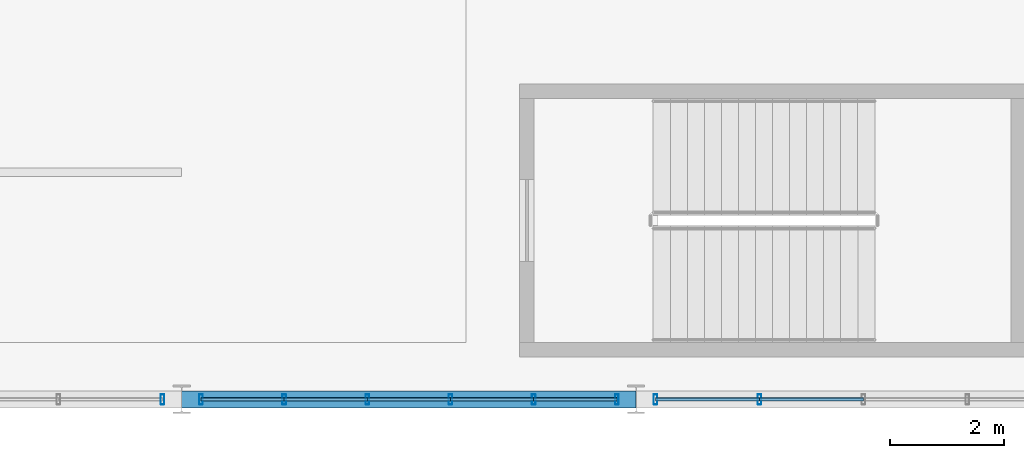
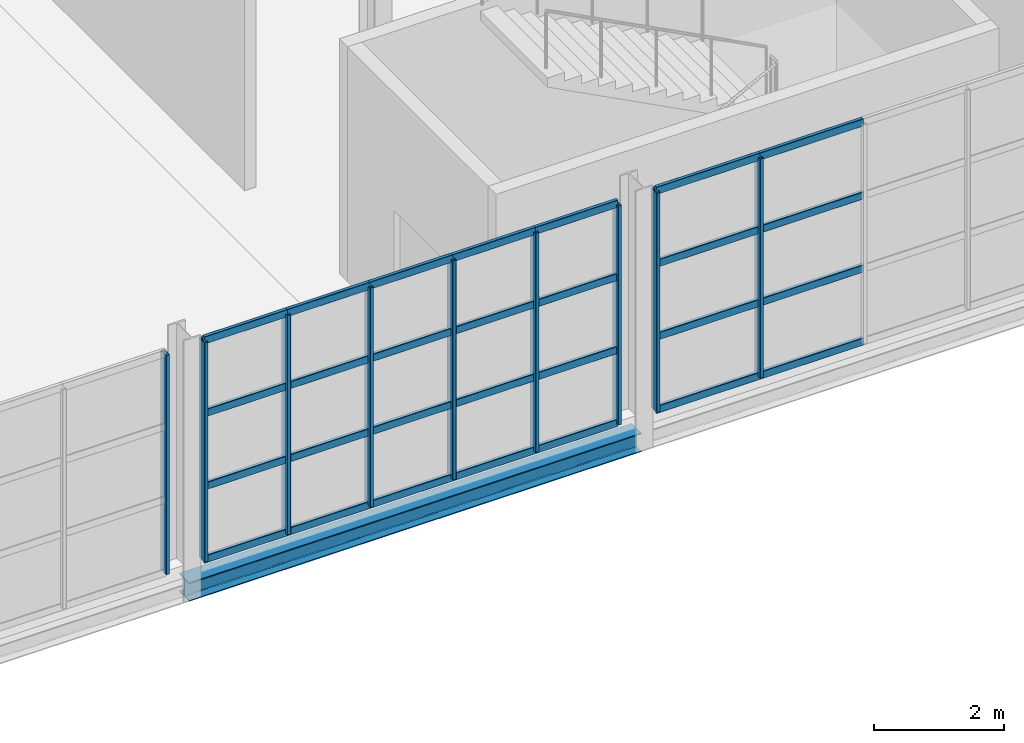
# One storey, part 106 of 153: 37 members, 1 beam, 3 elements without a shape of their own.
"""IFC4 building model written with IfcOpenShell, lengths in metres."""

from ifc_helpers import new_model, si_unit, derived_unit, direction, frame, origin, origin_2d, place, context, subcontext, project, spatial, hollow_rectangle, i_section, extrude, material, material_profile, profile_set, type_object, element, aggregate, save


model = new_model("IFC4")

# Units and contexts
model_context = context("Model", 3, precision=1e-05, world=origin(), true_north=direction((0.0, 1.0)))
body_context = subcontext(model_context, "Body", "Model", "MODEL_VIEW")
ifc_project = project(units=[si_unit("LENGTHUNIT", "METRE"), si_unit("AREAUNIT", "SQUARE_METRE"), si_unit("VOLUMEUNIT", "CUBIC_METRE"), si_unit("PLANEANGLEUNIT", "RADIAN"), si_unit("MASSUNIT", "GRAM", prefix="KILO"), derived_unit("THERMALTRANSMITTANCEUNIT", [(si_unit("POWERUNIT", "WATT"), 1), (si_unit("LENGTHUNIT", "METRE"), -2), (si_unit("THERMODYNAMICTEMPERATUREUNIT", "KELVIN"), -1)])], contexts=[model_context])

# Site, building, storey
site_placement = place(None, origin())
site = spatial("IfcSite", under=ifc_project, at=site_placement, CompositionType="ELEMENT")
building_placement = place(site_placement, origin())
building = spatial("IfcBuilding", under=site, at=building_placement, Name="Keldorne Ridge Multi-Sports Centre", CompositionType="ELEMENT")
storey_placement = place(building_placement, frame((0.0, 0.0, 9.60009765625)))
storey = spatial("IfcBuildingStorey", under=building, at=storey_placement, Name="L02", CompositionType="ELEMENT", Elevation=9.60009765625)

# Beam
ifc_material_1 = material(Name="Steel S355", Category="steel")
ifc_material_profile_1 = material_profile(ifc_material_1, i_section(OverallWidth=0.300048828125, OverallDepth=0.35009765625, WebThickness=0.010009765625, FlangeThickness=0.017578125, FilletRadius=0.027099609375, at=origin_2d()), Name="HEA 360")
ifc_profile_set_1 = profile_set([ifc_material_profile_1], Name="Steel S355")
beam_type = type_object("IfcBeamType", Name="BM-SP-03", PredefinedType="SPANDREL", material=ifc_profile_set_1)
beam_placement = place(storey_placement, frame((152.0, 6.0, -0.4150390625), z_axis=(1.0, 0.0, 0.0), x_axis=(0.0, 1.0, 0.0)))
element("IfcBeam", 1, at=beam_placement, inside=storey, type_object=beam_type, Name="L02 Stacked Courts beam 7.1", PredefinedType="SPANDREL", context=body_context, shape_type="SweptSolid", body=[
    extrude(i_section(OverallWidth=0.300048828125, OverallDepth=0.35009765625, WebThickness=0.010009765625, FlangeThickness=0.017578125, FilletRadius=0.027099609375, at=origin_2d()), origin(), (0.0, 0.0, 1.0), 8.0),
])

# Curtain wall, member
ifc_material_2 = material(Name="Anodized aluminium", Category="aluminium")
curtain_wall_type_1 = type_object("IfcCurtainWallType", Name="CW-CW-08", PredefinedType="NOTDEFINED", material=ifc_material_2)
curtain_wall_1_placement = place(storey_placement, origin())
curtain_wall_1 = element("IfcCurtainWall", 2, at=curtain_wall_1_placement, inside=storey, type_object=curtain_wall_type_1, Name="Upper Courts south curtain wall 120", PredefinedType="NOTDEFINED")
ifc_material_profile_2 = material_profile(ifc_material_2, hollow_rectangle(XDim=0.06494140625, YDim=0.179931640625, WallThickness=0.00439453125, InnerFilletRadius=0.00439453125, OuterFilletRadius=0.009033203125, at=origin_2d()), Name="ALU MULLION 180x65x4.5")
ifc_profile_set_2 = profile_set([ifc_material_profile_2], Name="Anodized aluminium")
member_type_1 = type_object("IfcMemberType", Name="MEM-ML-01", PredefinedType="MULLION", material=ifc_profile_set_2)
member_1_placement = place(storey_placement, frame((151.659912109375, 6.0, 0.0), z_axis=(0.0, 0.0, 1.0), x_axis=(1.0, 0.0, 0.0)))
member_1 = element("IfcMember", 3, at=member_1_placement, type_object=member_type_1, Name="CW-120 vertical mullion 5", PredefinedType="MULLION", context=body_context, shape_type="SweptSolid", body=[
    extrude(hollow_rectangle(XDim=0.06494140625, YDim=0.179931640625, WallThickness=0.00439453125, InnerFilletRadius=0.00439453125, OuterFilletRadius=0.009033203125, at=origin_2d()), origin(), (0.0, 0.0, 1.0), 4.099853515625),
])
aggregate(curtain_wall_1, [member_1])

# Curtain wall, members
curtain_wall_type_2 = type_object("IfcCurtainWallType", Name="CW-CW-06", PredefinedType="NOTDEFINED", material=ifc_material_2)
curtain_wall_2_placement = place(storey_placement, origin())
curtain_wall_2 = element("IfcCurtainWall", 4, at=curtain_wall_2_placement, inside=storey, type_object=curtain_wall_type_2, Name="Upper Courts south curtain wall 126", PredefinedType="NOTDEFINED")
member_2_placement = place(storey_placement, frame((152.340087890625, 6.0, 0.0), z_axis=(0.0, 0.0, 1.0), x_axis=(1.0, 0.0, 0.0)))
member_2 = element("IfcMember", 5, at=member_2_placement, type_object=member_type_1, Name="CW-126 vertical mullion 1", PredefinedType="MULLION", context=body_context, shape_type="SweptSolid", body=[
    extrude(hollow_rectangle(XDim=0.06494140625, YDim=0.179931640625, WallThickness=0.00439453125, InnerFilletRadius=0.00439453125, OuterFilletRadius=0.009033203125, at=origin_2d()), origin(), (0.0, 0.0, 1.0), 4.099853515625),
])
member_3_placement = place(storey_placement, frame((153.803955078125, 6.0, 0.0), z_axis=(0.0, 0.0, 1.0), x_axis=(1.0, 0.0, 0.0)))
member_3 = element("IfcMember", 6, at=member_3_placement, type_object=member_type_1, Name="CW-126 vertical mullion 2", PredefinedType="MULLION", context=body_context, shape_type="SweptSolid", body=[
    extrude(hollow_rectangle(XDim=0.06494140625, YDim=0.179931640625, WallThickness=0.00439453125, InnerFilletRadius=0.00439453125, OuterFilletRadius=0.009033203125, at=origin_2d()), origin(), (0.0, 0.0, 1.0), 4.099853515625),
])
member_4_placement = place(storey_placement, frame((155.26806640625, 6.0, 0.0), z_axis=(0.0, 0.0, 1.0), x_axis=(1.0, 0.0, 0.0)))
member_4 = element("IfcMember", 7, at=member_4_placement, type_object=member_type_1, Name="CW-126 vertical mullion 3", PredefinedType="MULLION", context=body_context, shape_type="SweptSolid", body=[
    extrude(hollow_rectangle(XDim=0.06494140625, YDim=0.179931640625, WallThickness=0.00439453125, InnerFilletRadius=0.00439453125, OuterFilletRadius=0.009033203125, at=origin_2d()), origin(), (0.0, 0.0, 1.0), 4.099853515625),
])
member_5_placement = place(storey_placement, frame((156.73193359375, 6.0, 0.0), z_axis=(0.0, 0.0, 1.0), x_axis=(1.0, 0.0, 0.0)))
member_5 = element("IfcMember", 8, at=member_5_placement, type_object=member_type_1, Name="CW-126 vertical mullion 4", PredefinedType="MULLION", context=body_context, shape_type="SweptSolid", body=[
    extrude(hollow_rectangle(XDim=0.06494140625, YDim=0.179931640625, WallThickness=0.00439453125, InnerFilletRadius=0.00439453125, OuterFilletRadius=0.009033203125, at=origin_2d()), origin(), (0.0, 0.0, 1.0), 4.099853515625),
])
member_6_placement = place(storey_placement, frame((158.196044921875, 6.0, 0.0), z_axis=(0.0, 0.0, 1.0), x_axis=(1.0, 0.0, 0.0)))
member_6 = element("IfcMember", 9, at=member_6_placement, type_object=member_type_1, Name="CW-126 vertical mullion 5", PredefinedType="MULLION", context=body_context, shape_type="SweptSolid", body=[
    extrude(hollow_rectangle(XDim=0.06494140625, YDim=0.179931640625, WallThickness=0.00439453125, InnerFilletRadius=0.00439453125, OuterFilletRadius=0.009033203125, at=origin_2d()), origin(), (0.0, 0.0, 1.0), 4.099853515625),
])
member_7_placement = place(storey_placement, frame((159.659912109375, 6.0, 0.0), z_axis=(0.0, 0.0, 1.0), x_axis=(1.0, 0.0, 0.0)))
member_7 = element("IfcMember", 10, at=member_7_placement, type_object=member_type_1, Name="CW-126 vertical mullion 6", PredefinedType="MULLION", context=body_context, shape_type="SweptSolid", body=[
    extrude(hollow_rectangle(XDim=0.06494140625, YDim=0.179931640625, WallThickness=0.00439453125, InnerFilletRadius=0.00439453125, OuterFilletRadius=0.009033203125, at=origin_2d()), origin(), (0.0, 0.0, 1.0), 4.099853515625),
])

curtain_wall_type_3 = type_object("IfcCurtainWallType", Name="CW-CW-05", PredefinedType="NOTDEFINED", material=ifc_material_2)
curtain_wall_3_placement = place(storey_placement, origin())
curtain_wall_3 = element("IfcCurtainWall", 11, at=curtain_wall_3_placement, inside=storey, type_object=curtain_wall_type_3, Name="Upper Courts south curtain wall 133", PredefinedType="NOTDEFINED")
member_8_placement = place(storey_placement, frame((160.340087890625, 6.0, 0.0), z_axis=(0.0, 0.0, 1.0), x_axis=(1.0, 0.0, 0.0)))
member_8 = element("IfcMember", 12, at=member_8_placement, type_object=member_type_1, Name="CW-133 vertical mullion 1", PredefinedType="MULLION", context=body_context, shape_type="SweptSolid", body=[
    extrude(hollow_rectangle(XDim=0.06494140625, YDim=0.179931640625, WallThickness=0.00439453125, InnerFilletRadius=0.00439453125, OuterFilletRadius=0.009033203125, at=origin_2d()), origin(), (0.0, 0.0, 1.0), 4.099853515625),
])
member_9_placement = place(storey_placement, frame((162.169921875, 6.0, 0.0), z_axis=(0.0, 0.0, 1.0), x_axis=(1.0, 0.0, 0.0)))
member_9 = element("IfcMember", 13, at=member_9_placement, type_object=member_type_1, Name="CW-133 vertical mullion 2", PredefinedType="MULLION", context=body_context, shape_type="SweptSolid", body=[
    extrude(hollow_rectangle(XDim=0.06494140625, YDim=0.179931640625, WallThickness=0.00439453125, InnerFilletRadius=0.00439453125, OuterFilletRadius=0.009033203125, at=origin_2d()), origin(), (0.0, 0.0, 1.0), 4.099853515625),
])

# Member
ifc_material_profile_3 = material_profile(ifc_material_2, hollow_rectangle(XDim=0.06494140625, YDim=0.139892578125, WallThickness=0.00439453125, InnerFilletRadius=0.00439453125, OuterFilletRadius=0.009033203125, at=origin_2d()), Name="ALU TRANSOM 140x65x4.5")
ifc_profile_set_3 = profile_set([ifc_material_profile_3], Name="Anodized aluminium")
member_type_2 = type_object("IfcMemberType", Name="MEM-TR-01", PredefinedType="USERDEFINED", material=ifc_profile_set_3)
member_10_placement = place(storey_placement, frame((152.340087890625, 6.0, 0.0), z_axis=(1.0, 0.0, 0.0), x_axis=(0.0, 1.0, 0.0)))
member_10 = element("IfcMember", 14, at=member_10_placement, type_object=member_type_2, Name="CW-126 transom 1.1", ObjectType="TRANSOM", PredefinedType="USERDEFINED", context=body_context, shape_type="SweptSolid", body=[
    extrude(hollow_rectangle(XDim=0.06494140625, YDim=0.139892578125, WallThickness=0.00439453125, InnerFilletRadius=0.00439453125, OuterFilletRadius=0.009033203125, at=origin_2d()), origin(), (0.0, 0.0, 1.0), 1.4638671875),
])

member_11_placement = place(storey_placement, frame((152.340087890625, 6.0, 1.36669921875), z_axis=(1.0, 0.0, 0.0), x_axis=(0.0, 1.0, 0.0)))
member_11 = element("IfcMember", 15, at=member_11_placement, type_object=member_type_2, Name="CW-126 transom 1.2", ObjectType="TRANSOM", PredefinedType="USERDEFINED", context=body_context, shape_type="SweptSolid", body=[
    extrude(hollow_rectangle(XDim=0.06494140625, YDim=0.139892578125, WallThickness=0.00439453125, InnerFilletRadius=0.00439453125, OuterFilletRadius=0.009033203125, at=origin_2d()), origin(), (0.0, 0.0, 1.0), 1.4638671875),
])

member_12_placement = place(storey_placement, frame((152.340087890625, 6.0, 2.733154296875), z_axis=(1.0, 0.0, 0.0), x_axis=(0.0, 1.0, 0.0)))
member_12 = element("IfcMember", 16, at=member_12_placement, type_object=member_type_2, Name="CW-126 transom 1.3", ObjectType="TRANSOM", PredefinedType="USERDEFINED", context=body_context, shape_type="SweptSolid", body=[
    extrude(hollow_rectangle(XDim=0.06494140625, YDim=0.139892578125, WallThickness=0.00439453125, InnerFilletRadius=0.00439453125, OuterFilletRadius=0.009033203125, at=origin_2d()), origin(), (0.0, 0.0, 1.0), 1.4638671875),
])

member_13_placement = place(storey_placement, frame((152.340087890625, 6.0, 4.099853515625), z_axis=(1.0, 0.0, 0.0), x_axis=(0.0, 1.0, 0.0)))
member_13 = element("IfcMember", 17, at=member_13_placement, type_object=member_type_2, Name="CW-126 transom 1.4", ObjectType="TRANSOM", PredefinedType="USERDEFINED", context=body_context, shape_type="SweptSolid", body=[
    extrude(hollow_rectangle(XDim=0.06494140625, YDim=0.139892578125, WallThickness=0.00439453125, InnerFilletRadius=0.00439453125, OuterFilletRadius=0.009033203125, at=origin_2d()), origin(), (0.0, 0.0, 1.0), 1.4638671875),
])

member_14_placement = place(storey_placement, frame((153.803955078125, 6.0, 0.0), z_axis=(1.0, 0.0, 0.0), x_axis=(0.0, 1.0, 0.0)))
member_14 = element("IfcMember", 18, at=member_14_placement, type_object=member_type_2, Name="CW-126 transom 2.1", ObjectType="TRANSOM", PredefinedType="USERDEFINED", context=body_context, shape_type="SweptSolid", body=[
    extrude(hollow_rectangle(XDim=0.06494140625, YDim=0.139892578125, WallThickness=0.00439453125, InnerFilletRadius=0.00439453125, OuterFilletRadius=0.009033203125, at=origin_2d()), origin(), (0.0, 0.0, 1.0), 1.464111328125),
])

member_15_placement = place(storey_placement, frame((153.803955078125, 6.0, 1.36669921875), z_axis=(1.0, 0.0, 0.0), x_axis=(0.0, 1.0, 0.0)))
member_15 = element("IfcMember", 19, at=member_15_placement, type_object=member_type_2, Name="CW-126 transom 2.2", ObjectType="TRANSOM", PredefinedType="USERDEFINED", context=body_context, shape_type="SweptSolid", body=[
    extrude(hollow_rectangle(XDim=0.06494140625, YDim=0.139892578125, WallThickness=0.00439453125, InnerFilletRadius=0.00439453125, OuterFilletRadius=0.009033203125, at=origin_2d()), origin(), (0.0, 0.0, 1.0), 1.464111328125),
])

member_16_placement = place(storey_placement, frame((153.803955078125, 6.0, 2.733154296875), z_axis=(1.0, 0.0, 0.0), x_axis=(0.0, 1.0, 0.0)))
member_16 = element("IfcMember", 20, at=member_16_placement, type_object=member_type_2, Name="CW-126 transom 2.3", ObjectType="TRANSOM", PredefinedType="USERDEFINED", context=body_context, shape_type="SweptSolid", body=[
    extrude(hollow_rectangle(XDim=0.06494140625, YDim=0.139892578125, WallThickness=0.00439453125, InnerFilletRadius=0.00439453125, OuterFilletRadius=0.009033203125, at=origin_2d()), origin(), (0.0, 0.0, 1.0), 1.464111328125),
])

member_17_placement = place(storey_placement, frame((153.803955078125, 6.0, 4.099853515625), z_axis=(1.0, 0.0, 0.0), x_axis=(0.0, 1.0, 0.0)))
member_17 = element("IfcMember", 21, at=member_17_placement, type_object=member_type_2, Name="CW-126 transom 2.4", ObjectType="TRANSOM", PredefinedType="USERDEFINED", context=body_context, shape_type="SweptSolid", body=[
    extrude(hollow_rectangle(XDim=0.06494140625, YDim=0.139892578125, WallThickness=0.00439453125, InnerFilletRadius=0.00439453125, OuterFilletRadius=0.009033203125, at=origin_2d()), origin(), (0.0, 0.0, 1.0), 1.464111328125),
])

member_18_placement = place(storey_placement, frame((155.26806640625, 6.0, 0.0), z_axis=(1.0, 0.0, 0.0), x_axis=(0.0, 1.0, 0.0)))
member_18 = element("IfcMember", 22, at=member_18_placement, type_object=member_type_2, Name="CW-126 transom 3.1", ObjectType="TRANSOM", PredefinedType="USERDEFINED", context=body_context, shape_type="SweptSolid", body=[
    extrude(hollow_rectangle(XDim=0.06494140625, YDim=0.139892578125, WallThickness=0.00439453125, InnerFilletRadius=0.00439453125, OuterFilletRadius=0.009033203125, at=origin_2d()), origin(), (0.0, 0.0, 1.0), 1.4638671875),
])

member_19_placement = place(storey_placement, frame((155.26806640625, 6.0, 1.36669921875), z_axis=(1.0, 0.0, 0.0), x_axis=(0.0, 1.0, 0.0)))
member_19 = element("IfcMember", 23, at=member_19_placement, type_object=member_type_2, Name="CW-126 transom 3.2", ObjectType="TRANSOM", PredefinedType="USERDEFINED", context=body_context, shape_type="SweptSolid", body=[
    extrude(hollow_rectangle(XDim=0.06494140625, YDim=0.139892578125, WallThickness=0.00439453125, InnerFilletRadius=0.00439453125, OuterFilletRadius=0.009033203125, at=origin_2d()), origin(), (0.0, 0.0, 1.0), 1.4638671875),
])

member_20_placement = place(storey_placement, frame((155.26806640625, 6.0, 2.733154296875), z_axis=(1.0, 0.0, 0.0), x_axis=(0.0, 1.0, 0.0)))
member_20 = element("IfcMember", 24, at=member_20_placement, type_object=member_type_2, Name="CW-126 transom 3.3", ObjectType="TRANSOM", PredefinedType="USERDEFINED", context=body_context, shape_type="SweptSolid", body=[
    extrude(hollow_rectangle(XDim=0.06494140625, YDim=0.139892578125, WallThickness=0.00439453125, InnerFilletRadius=0.00439453125, OuterFilletRadius=0.009033203125, at=origin_2d()), origin(), (0.0, 0.0, 1.0), 1.4638671875),
])

member_21_placement = place(storey_placement, frame((155.26806640625, 6.0, 4.099853515625), z_axis=(1.0, 0.0, 0.0), x_axis=(0.0, 1.0, 0.0)))
member_21 = element("IfcMember", 25, at=member_21_placement, type_object=member_type_2, Name="CW-126 transom 3.4", ObjectType="TRANSOM", PredefinedType="USERDEFINED", context=body_context, shape_type="SweptSolid", body=[
    extrude(hollow_rectangle(XDim=0.06494140625, YDim=0.139892578125, WallThickness=0.00439453125, InnerFilletRadius=0.00439453125, OuterFilletRadius=0.009033203125, at=origin_2d()), origin(), (0.0, 0.0, 1.0), 1.4638671875),
])

member_22_placement = place(storey_placement, frame((156.73193359375, 6.0, 0.0), z_axis=(1.0, 0.0, 0.0), x_axis=(0.0, 1.0, 0.0)))
member_22 = element("IfcMember", 26, at=member_22_placement, type_object=member_type_2, Name="CW-126 transom 4.1", ObjectType="TRANSOM", PredefinedType="USERDEFINED", context=body_context, shape_type="SweptSolid", body=[
    extrude(hollow_rectangle(XDim=0.06494140625, YDim=0.139892578125, WallThickness=0.00439453125, InnerFilletRadius=0.00439453125, OuterFilletRadius=0.009033203125, at=origin_2d()), origin(), (0.0, 0.0, 1.0), 1.464111328125),
])

member_23_placement = place(storey_placement, frame((156.73193359375, 6.0, 1.36669921875), z_axis=(1.0, 0.0, 0.0), x_axis=(0.0, 1.0, 0.0)))
member_23 = element("IfcMember", 27, at=member_23_placement, type_object=member_type_2, Name="CW-126 transom 4.2", ObjectType="TRANSOM", PredefinedType="USERDEFINED", context=body_context, shape_type="SweptSolid", body=[
    extrude(hollow_rectangle(XDim=0.06494140625, YDim=0.139892578125, WallThickness=0.00439453125, InnerFilletRadius=0.00439453125, OuterFilletRadius=0.009033203125, at=origin_2d()), origin(), (0.0, 0.0, 1.0), 1.464111328125),
])

member_24_placement = place(storey_placement, frame((156.73193359375, 6.0, 2.733154296875), z_axis=(1.0, 0.0, 0.0), x_axis=(0.0, 1.0, 0.0)))
member_24 = element("IfcMember", 28, at=member_24_placement, type_object=member_type_2, Name="CW-126 transom 4.3", ObjectType="TRANSOM", PredefinedType="USERDEFINED", context=body_context, shape_type="SweptSolid", body=[
    extrude(hollow_rectangle(XDim=0.06494140625, YDim=0.139892578125, WallThickness=0.00439453125, InnerFilletRadius=0.00439453125, OuterFilletRadius=0.009033203125, at=origin_2d()), origin(), (0.0, 0.0, 1.0), 1.464111328125),
])

member_25_placement = place(storey_placement, frame((156.73193359375, 6.0, 4.099853515625), z_axis=(1.0, 0.0, 0.0), x_axis=(0.0, 1.0, 0.0)))
member_25 = element("IfcMember", 29, at=member_25_placement, type_object=member_type_2, Name="CW-126 transom 4.4", ObjectType="TRANSOM", PredefinedType="USERDEFINED", context=body_context, shape_type="SweptSolid", body=[
    extrude(hollow_rectangle(XDim=0.06494140625, YDim=0.139892578125, WallThickness=0.00439453125, InnerFilletRadius=0.00439453125, OuterFilletRadius=0.009033203125, at=origin_2d()), origin(), (0.0, 0.0, 1.0), 1.464111328125),
])

member_26_placement = place(storey_placement, frame((158.196044921875, 6.0, 0.0), z_axis=(1.0, 0.0, 0.0), x_axis=(0.0, 1.0, 0.0)))
member_26 = element("IfcMember", 30, at=member_26_placement, type_object=member_type_2, Name="CW-126 transom 5.1", ObjectType="TRANSOM", PredefinedType="USERDEFINED", context=body_context, shape_type="SweptSolid", body=[
    extrude(hollow_rectangle(XDim=0.06494140625, YDim=0.139892578125, WallThickness=0.00439453125, InnerFilletRadius=0.00439453125, OuterFilletRadius=0.009033203125, at=origin_2d()), origin(), (0.0, 0.0, 1.0), 1.4638671875),
])

member_27_placement = place(storey_placement, frame((158.196044921875, 6.0, 1.36669921875), z_axis=(1.0, 0.0, 0.0), x_axis=(0.0, 1.0, 0.0)))
member_27 = element("IfcMember", 31, at=member_27_placement, type_object=member_type_2, Name="CW-126 transom 5.2", ObjectType="TRANSOM", PredefinedType="USERDEFINED", context=body_context, shape_type="SweptSolid", body=[
    extrude(hollow_rectangle(XDim=0.06494140625, YDim=0.139892578125, WallThickness=0.00439453125, InnerFilletRadius=0.00439453125, OuterFilletRadius=0.009033203125, at=origin_2d()), origin(), (0.0, 0.0, 1.0), 1.4638671875),
])

member_28_placement = place(storey_placement, frame((158.196044921875, 6.0, 2.733154296875), z_axis=(1.0, 0.0, 0.0), x_axis=(0.0, 1.0, 0.0)))
member_28 = element("IfcMember", 32, at=member_28_placement, type_object=member_type_2, Name="CW-126 transom 5.3", ObjectType="TRANSOM", PredefinedType="USERDEFINED", context=body_context, shape_type="SweptSolid", body=[
    extrude(hollow_rectangle(XDim=0.06494140625, YDim=0.139892578125, WallThickness=0.00439453125, InnerFilletRadius=0.00439453125, OuterFilletRadius=0.009033203125, at=origin_2d()), origin(), (0.0, 0.0, 1.0), 1.4638671875),
])

member_29_placement = place(storey_placement, frame((158.196044921875, 6.0, 4.099853515625), z_axis=(1.0, 0.0, 0.0), x_axis=(0.0, 1.0, 0.0)))
member_29 = element("IfcMember", 33, at=member_29_placement, type_object=member_type_2, Name="CW-126 transom 5.4", ObjectType="TRANSOM", PredefinedType="USERDEFINED", context=body_context, shape_type="SweptSolid", body=[
    extrude(hollow_rectangle(XDim=0.06494140625, YDim=0.139892578125, WallThickness=0.00439453125, InnerFilletRadius=0.00439453125, OuterFilletRadius=0.009033203125, at=origin_2d()), origin(), (0.0, 0.0, 1.0), 1.4638671875),
])

aggregate(curtain_wall_2, [member_2, member_3, member_4, member_5, member_6, member_7, member_10, member_11, member_12, member_13, member_14, member_15, member_16, member_17, member_18, member_19, member_20, member_21, member_22, member_23, member_24, member_25, member_26, member_27, member_28, member_29])

member_30_placement = place(storey_placement, frame((160.340087890625, 6.0, 0.0), z_axis=(1.0, 0.0, 0.0), x_axis=(0.0, 1.0, 0.0)))
member_30 = element("IfcMember", 34, at=member_30_placement, type_object=member_type_2, Name="CW-133 transom 1.1", ObjectType="TRANSOM", PredefinedType="USERDEFINED", context=body_context, shape_type="SweptSolid", body=[
    extrude(hollow_rectangle(XDim=0.06494140625, YDim=0.139892578125, WallThickness=0.00439453125, InnerFilletRadius=0.00439453125, OuterFilletRadius=0.009033203125, at=origin_2d()), origin(), (0.0, 0.0, 1.0), 1.829833984375),
])

member_31_placement = place(storey_placement, frame((160.340087890625, 6.0, 1.36669921875), z_axis=(1.0, 0.0, 0.0), x_axis=(0.0, 1.0, 0.0)))
member_31 = element("IfcMember", 35, at=member_31_placement, type_object=member_type_2, Name="CW-133 transom 1.2", ObjectType="TRANSOM", PredefinedType="USERDEFINED", context=body_context, shape_type="SweptSolid", body=[
    extrude(hollow_rectangle(XDim=0.06494140625, YDim=0.139892578125, WallThickness=0.00439453125, InnerFilletRadius=0.00439453125, OuterFilletRadius=0.009033203125, at=origin_2d()), origin(), (0.0, 0.0, 1.0), 1.829833984375),
])

member_32_placement = place(storey_placement, frame((160.340087890625, 6.0, 2.733154296875), z_axis=(1.0, 0.0, 0.0), x_axis=(0.0, 1.0, 0.0)))
member_32 = element("IfcMember", 36, at=member_32_placement, type_object=member_type_2, Name="CW-133 transom 1.3", ObjectType="TRANSOM", PredefinedType="USERDEFINED", context=body_context, shape_type="SweptSolid", body=[
    extrude(hollow_rectangle(XDim=0.06494140625, YDim=0.139892578125, WallThickness=0.00439453125, InnerFilletRadius=0.00439453125, OuterFilletRadius=0.009033203125, at=origin_2d()), origin(), (0.0, 0.0, 1.0), 1.829833984375),
])

member_33_placement = place(storey_placement, frame((160.340087890625, 6.0, 4.099853515625), z_axis=(1.0, 0.0, 0.0), x_axis=(0.0, 1.0, 0.0)))
member_33 = element("IfcMember", 37, at=member_33_placement, type_object=member_type_2, Name="CW-133 transom 1.4", ObjectType="TRANSOM", PredefinedType="USERDEFINED", context=body_context, shape_type="SweptSolid", body=[
    extrude(hollow_rectangle(XDim=0.06494140625, YDim=0.139892578125, WallThickness=0.00439453125, InnerFilletRadius=0.00439453125, OuterFilletRadius=0.009033203125, at=origin_2d()), origin(), (0.0, 0.0, 1.0), 1.829833984375),
])

member_34_placement = place(storey_placement, frame((162.169921875, 6.0, 0.0), z_axis=(1.0, 0.0, 0.0), x_axis=(0.0, 1.0, 0.0)))
member_34 = element("IfcMember", 38, at=member_34_placement, type_object=member_type_2, Name="CW-133 transom 2.1", ObjectType="TRANSOM", PredefinedType="USERDEFINED", context=body_context, shape_type="SweptSolid", body=[
    extrude(hollow_rectangle(XDim=0.06494140625, YDim=0.139892578125, WallThickness=0.00439453125, InnerFilletRadius=0.00439453125, OuterFilletRadius=0.009033203125, at=origin_2d()), origin(), (0.0, 0.0, 1.0), 1.830078125),
])

member_35_placement = place(storey_placement, frame((162.169921875, 6.0, 1.36669921875), z_axis=(1.0, 0.0, 0.0), x_axis=(0.0, 1.0, 0.0)))
member_35 = element("IfcMember", 39, at=member_35_placement, type_object=member_type_2, Name="CW-133 transom 2.2", ObjectType="TRANSOM", PredefinedType="USERDEFINED", context=body_context, shape_type="SweptSolid", body=[
    extrude(hollow_rectangle(XDim=0.06494140625, YDim=0.139892578125, WallThickness=0.00439453125, InnerFilletRadius=0.00439453125, OuterFilletRadius=0.009033203125, at=origin_2d()), origin(), (0.0, 0.0, 1.0), 1.830078125),
])

member_36_placement = place(storey_placement, frame((162.169921875, 6.0, 2.733154296875), z_axis=(1.0, 0.0, 0.0), x_axis=(0.0, 1.0, 0.0)))
member_36 = element("IfcMember", 40, at=member_36_placement, type_object=member_type_2, Name="CW-133 transom 2.3", ObjectType="TRANSOM", PredefinedType="USERDEFINED", context=body_context, shape_type="SweptSolid", body=[
    extrude(hollow_rectangle(XDim=0.06494140625, YDim=0.139892578125, WallThickness=0.00439453125, InnerFilletRadius=0.00439453125, OuterFilletRadius=0.009033203125, at=origin_2d()), origin(), (0.0, 0.0, 1.0), 1.830078125),
])

member_37_placement = place(storey_placement, frame((162.169921875, 6.0, 4.099853515625), z_axis=(1.0, 0.0, 0.0), x_axis=(0.0, 1.0, 0.0)))
member_37 = element("IfcMember", 41, at=member_37_placement, type_object=member_type_2, Name="CW-133 transom 2.4", ObjectType="TRANSOM", PredefinedType="USERDEFINED", context=body_context, shape_type="SweptSolid", body=[
    extrude(hollow_rectangle(XDim=0.06494140625, YDim=0.139892578125, WallThickness=0.00439453125, InnerFilletRadius=0.00439453125, OuterFilletRadius=0.009033203125, at=origin_2d()), origin(), (0.0, 0.0, 1.0), 1.830078125),
])

aggregate(curtain_wall_3, [member_8, member_9, member_30, member_31, member_32, member_33, member_34, member_35, member_36, member_37])

save(model, "model.ifc")
